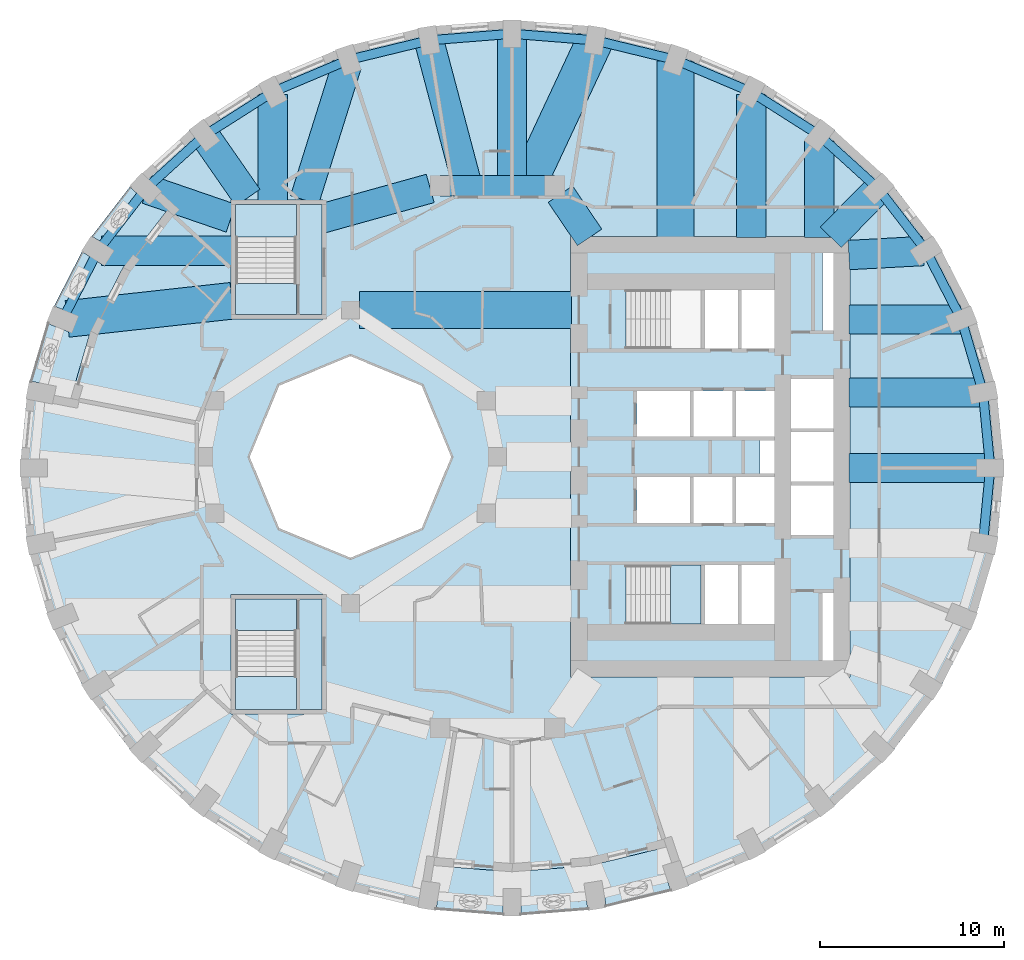
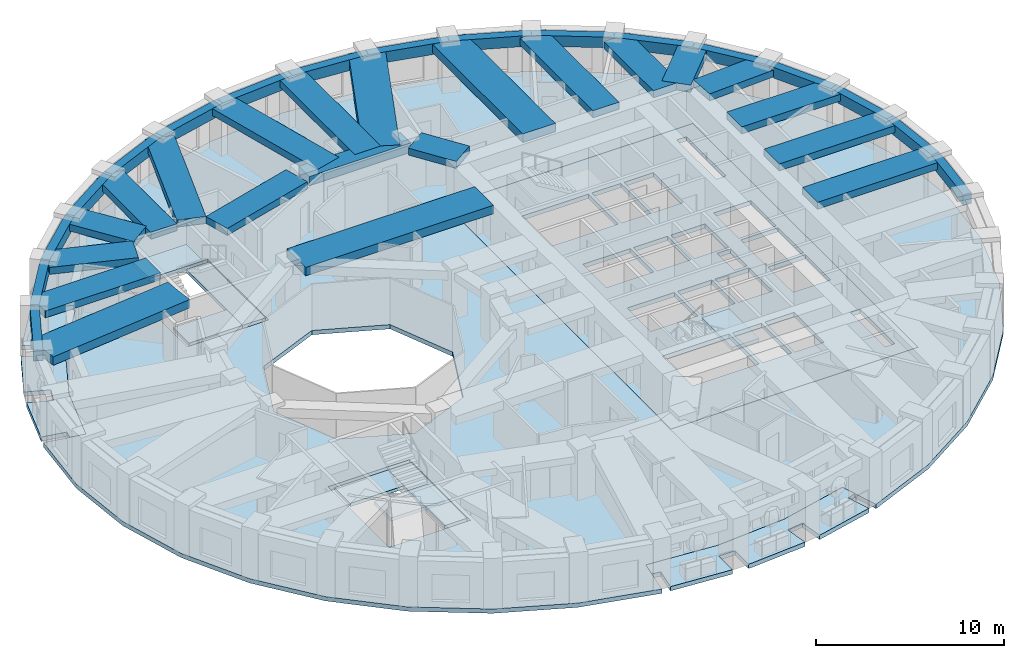
# One storey, part 2 of 13: 38 beams, 11 slabs, 3 elements without a shape of their own.
"""IFC4 building model written with IfcOpenShell, lengths in metres."""

from ifc_helpers import new_model, si_unit, direction, frame, origin, origin_2d, place, context, subcontext, project, spatial, polyline, rectangle, outline, extrude, material, layer, layer_set, material_profile, profile_set, type_object, element, aggregate, save


model = new_model("IFC4")

# Units and contexts
model_context = context("Model", 3, precision=1e-05, world=origin(), true_north=direction((0.0, 1.0)))
body_context = subcontext(model_context, "Body", "Model", "MODEL_VIEW")
ifc_project = project(units=[si_unit("LENGTHUNIT", "METRE"), si_unit("AREAUNIT", "SQUARE_METRE"), si_unit("VOLUMEUNIT", "CUBIC_METRE"), si_unit("PLANEANGLEUNIT", "RADIAN"), si_unit("MASSUNIT", "GRAM", prefix="KILO")], contexts=[model_context])

# Site, building, storey
site_placement = place(None, origin())
site = spatial("IfcSite", under=ifc_project, at=site_placement, CompositionType="ELEMENT")
building_placement = place(site_placement, origin())
building = spatial("IfcBuilding", under=site, at=building_placement, Name="Taillehof Tower", CompositionType="ELEMENT")
storey_placement = place(building_placement, frame((0.0, 0.0, 108.699951171875)))
storey = spatial("IfcBuildingStorey", under=building, at=storey_placement, Name="L30", CompositionType="ELEMENT", Elevation=108.699951171875)

# Beams
ifc_material_1 = material(Name="Concrete C50/60", Category="concrete")
ifc_material_profile_1 = material_profile(ifc_material_1, rectangle(XDim=1.10009765625, YDim=0.60009765625, at=origin_2d()), Name="RC 1100x600")
ifc_profile_set_1 = profile_set([ifc_material_profile_1], Name="Concrete C50/60")
beam_type_1 = type_object("IfcBeamType", Name="Mid-ring beam C50/60 1100x600", PredefinedType="BEAM", material=ifc_profile_set_1)
beam_1_placement = place(storey_placement, frame((3.125732421875, 14.772216796875, 2.719970703125), z_axis=(-1.0, 0.0, 0.0), x_axis=(0.0, -1.0, 0.0)))
element("IfcBeam", 1, at=beam_1_placement, inside=storey, type_object=beam_type_1, Name="Mid-ring beam MB01", PredefinedType="BEAM", context=body_context, shape_type="SweptSolid", body=[
    extrude(rectangle(XDim=1.10009765625, YDim=0.60009765625, at=origin_2d()), origin(), (0.0, 0.0, 1.0), 6.25146484375),
])
ifc_material_2 = material(Name="Concrete C50/60", Category="concrete")
ifc_material_profile_2 = material_profile(ifc_material_2, rectangle(XDim=1.60009765625, YDim=0.449951171875, at=origin_2d()), Name="RC 1600x450")
ifc_profile_set_2 = profile_set([ifc_material_profile_2], Name="Concrete C50/60")
beam_type_2 = type_object("IfcBeamType", Name="Radial band beam C50/60 1600x450", PredefinedType="BEAM", material=ifc_profile_set_2)
beam_2_placement = place(storey_placement, frame((26.85009765625, -0.60009765625, 2.795166015625), z_axis=(-1.0, 0.0, 0.0), x_axis=(0.0, -1.0, 0.0)))
element("IfcBeam", 2, at=beam_2_placement, inside=storey, type_object=beam_type_2, Name="Radial band beam RB01", PredefinedType="BEAM", context=body_context, shape_type="SweptSolid", body=[
    extrude(rectangle(XDim=1.60009765625, YDim=0.449951171875, at=origin_2d()), origin(), (0.0, 0.0, 1.0), 7.7001953125),
])
beam_3_placement = place(storey_placement, frame((26.454345703125, 3.5068359375, 2.795166015625), z_axis=(-1.0, 0.0, 0.0), x_axis=(0.0, -1.0, 0.0)))
element("IfcBeam", 3, at=beam_3_placement, inside=storey, type_object=beam_type_2, Name="Radial band beam RB02", PredefinedType="BEAM", context=body_context, shape_type="SweptSolid", body=[
    extrude(rectangle(XDim=1.60009765625, YDim=0.449951171875, at=origin_2d()), origin(), (0.0, 0.0, 1.0), 7.304443359375),
])
beam_4_placement = place(storey_placement, frame((25.2275390625, 7.48876953125, 2.795166015625), z_axis=(-1.0, 0.0, 0.0), x_axis=(0.0, -1.0, 0.0)))
element("IfcBeam", 4, at=beam_4_placement, inside=storey, type_object=beam_type_2, Name="Radial band beam RB03", PredefinedType="BEAM", context=body_context, shape_type="SweptSolid", body=[
    extrude(rectangle(XDim=1.60009765625, YDim=0.449951171875, at=origin_2d()), origin(), (0.0, 0.0, 1.0), 6.07763671875),
])
beam_5_placement = place(storey_placement, frame((23.197021484375, 11.21630859375, 2.795166015625), z_axis=(-0.998539024739, -0.054035322466, 0.0), x_axis=(0.054035322466, -0.998539024739, 0.0)))
element("IfcBeam", 5, at=beam_5_placement, inside=storey, type_object=beam_type_2, Name="Radial band beam RB04", PredefinedType="BEAM", context=body_context, shape_type="SweptSolid", body=[
    extrude(rectangle(XDim=1.60009765625, YDim=0.449951171875, at=origin_2d()), origin(), (0.0, 0.0, 1.0), 4.052734375),
])
beam_6_placement = place(storey_placement, frame((20.75537109375, 14.60205078125, 2.795166015625), z_axis=(-0.700671998657, -0.713483531903, 0.0), x_axis=(0.713483531903, -0.700671998657, 0.0)))
element("IfcBeam", 6, at=beam_6_placement, inside=storey, type_object=beam_type_2, Name="Radial band beam RB05", PredefinedType="BEAM", context=body_context, shape_type="SweptSolid", body=[
    extrude(rectangle(XDim=1.60009765625, YDim=0.449951171875, at=origin_2d()), origin(), (0.0, 0.0, 1.0), 3.697021484375),
])
beam_7_placement = place(storey_placement, frame((17.544677734375, 17.2216796875, 2.795166015625), z_axis=(0.0, -1.0, 0.0), x_axis=(1.0, 0.0, 0.0)))
element("IfcBeam", 7, at=beam_7_placement, inside=storey, type_object=beam_type_2, Name="Radial band beam RB06", PredefinedType="BEAM", context=body_context, shape_type="SweptSolid", body=[
    extrude(rectangle(XDim=1.60009765625, YDim=0.449951171875, at=origin_2d()), origin(), (0.0, 0.0, 1.0), 5.271728515625),
])
beam_8_placement = place(storey_placement, frame((13.824951171875, 19.744384765625, 2.795166015625), z_axis=(0.0, -1.0, 0.0), x_axis=(1.0, 0.0, 0.0)))
element("IfcBeam", 8, at=beam_8_placement, inside=storey, type_object=beam_type_2, Name="Radial band beam RB07", PredefinedType="BEAM", context=body_context, shape_type="SweptSolid", body=[
    extrude(rectangle(XDim=1.60009765625, YDim=0.449951171875, at=origin_2d()), origin(), (0.0, 0.0, 1.0), 7.79443359375),
])
beam_9_placement = place(storey_placement, frame((0.800048828125, 23.050048828125, 2.795166015625), z_axis=(0.0, -1.0, 0.0), x_axis=(1.0, 0.0, 0.0)))
element("IfcBeam", 9, at=beam_9_placement, inside=storey, type_object=beam_type_2, Name="Radial band beam RB10", PredefinedType="BEAM", context=body_context, shape_type="SweptSolid", body=[
    extrude(rectangle(XDim=1.60009765625, YDim=0.449951171875, at=origin_2d()), origin(), (0.0, 0.0, 1.0), 8.27783203125),
])
beam_10_placement = place(storey_placement, frame((-3.7236328125, 22.690673828125, 2.795166015625), z_axis=(0.256102263642, -0.966649693817, 0.0), x_axis=(0.966649693817, 0.256102263642, 0.0)))
element("IfcBeam", 10, at=beam_10_placement, inside=storey, type_object=beam_type_2, Name="Radial band beam RB11", PredefinedType="BEAM", context=body_context, shape_type="SweptSolid", body=[
    extrude(rectangle(XDim=1.60009765625, YDim=0.449951171875, at=origin_2d()), origin(), (0.0, 0.0, 1.0), 8.191650390625),
])
beam_11_placement = place(storey_placement, frame((-8.189453125, 21.369140625, 2.795166015625), z_axis=(-0.299184997435, -0.954195125386, 0.0), x_axis=(0.954195125386, -0.299184997435, 0.0)))
element("IfcBeam", 11, at=beam_11_placement, inside=storey, type_object=beam_type_2, Name="Radial band beam RB12", PredefinedType="BEAM", context=body_context, shape_type="SweptSolid", body=[
    extrude(rectangle(XDim=1.60009765625, YDim=0.449951171875, at=origin_2d()), origin(), (0.0, 0.0, 1.0), 7.728515625),
])
beam_12_placement = place(storey_placement, frame((-12.22509765625, 19.744384765625, 2.795166015625), z_axis=(0.0, -1.0, 0.0), x_axis=(1.0, 0.0, 0.0)))
element("IfcBeam", 12, at=beam_12_placement, inside=storey, type_object=beam_type_2, Name="Radial band beam RB13", PredefinedType="BEAM", context=body_context, shape_type="SweptSolid", body=[
    extrude(rectangle(XDim=1.60009765625, YDim=0.449951171875, at=origin_2d()), origin(), (0.0, 0.0, 1.0), 5.79443359375),
])
beam_13_placement = place(storey_placement, frame((-15.944580078125, 17.516845703125, 2.795166015625), z_axis=(0.570763290366, -0.821114648737, 0.0), x_axis=(0.821114648737, 0.570763290366, 0.0)))
element("IfcBeam", 13, at=beam_13_placement, inside=storey, type_object=beam_type_2, Name="Radial band beam RB14", PredefinedType="BEAM", context=body_context, shape_type="SweptSolid", body=[
    extrude(rectangle(XDim=1.60009765625, YDim=0.449951171875, at=origin_2d()), origin(), (0.0, 0.0, 1.0), 4.1328125),
])
beam_14_placement = place(storey_placement, frame((-19.080810546875, 14.576171875, 2.795166015625), z_axis=(0.945583195076, -0.325380425334, 0.0), x_axis=(0.325380425334, 0.945583195076, 0.0)))
element("IfcBeam", 14, at=beam_14_placement, inside=storey, type_object=beam_type_2, Name="Radial band beam RB15", PredefinedType="BEAM", context=body_context, shape_type="SweptSolid", body=[
    extrude(rectangle(XDim=1.60009765625, YDim=0.449951171875, at=origin_2d()), origin(), (0.0, 0.0, 1.0), 4.83349609375),
])
beam_15_placement = place(storey_placement, frame((-21.54736328125, 11.22509765625, 2.795166015625), z_axis=(1.0, 0.0, 0.0), x_axis=(0.0, 1.0, 0.0)))
element("IfcBeam", 15, at=beam_15_placement, inside=storey, type_object=beam_type_2, Name="Radial band beam RB16", PredefinedType="BEAM", context=body_context, shape_type="SweptSolid", body=[
    extrude(rectangle(XDim=1.60009765625, YDim=0.449951171875, at=origin_2d()), origin(), (0.0, 0.0, 1.0), 7.097412109375),
])
beam_16_placement = place(storey_placement, frame((3.433837890625, 14.31640625, 2.795166015625), z_axis=(0.560112043398, -0.828416862962, 0.0), x_axis=(0.828416862962, 0.560112043398, 0.0)))
element("IfcBeam", 16, at=beam_16_placement, inside=storey, type_object=beam_type_2, Name="Inner band beam IB205", PredefinedType="BEAM", context=body_context, shape_type="SweptSolid", body=[
    extrude(rectangle(XDim=1.60009765625, YDim=0.449951171875, at=origin_2d()), origin(), (0.0, 0.0, 1.0), 2.84619140625),
])
beam_17_placement = place(storey_placement, frame((-3.655517578125, 14.624755859375, 2.795166015625), z_axis=(-0.963459369536, -0.267854518821, 0.0), x_axis=(0.267854518821, -0.963459369536, 0.0)))
element("IfcBeam", 17, at=beam_17_placement, inside=storey, type_object=beam_type_2, Name="Inner band beam IB206", PredefinedType="BEAM", context=body_context, shape_type="SweptSolid", body=[
    extrude(rectangle(XDim=1.60009765625, YDim=0.449951171875, at=origin_2d()), origin(), (0.0, 0.0, 1.0), 6.096923828125),
])
ifc_material_3 = material(Name="Concrete C50/60", Category="concrete")
ifc_material_profile_3 = material_profile(ifc_material_3, rectangle(XDim=2.0, YDim=0.550048828125, at=origin_2d()), Name="RC 2000x550")
ifc_profile_set_3 = profile_set([ifc_material_profile_3], Name="Concrete C50/60")
beam_type_3 = type_object("IfcBeamType", Name="Radial band beam C50/60 2000x550", PredefinedType="BEAM", material=ifc_profile_set_3)
beam_18_placement = place(storey_placement, frame((9.709716796875, 21.556640625, 2.7451171875), z_axis=(0.0, -1.0, 0.0), x_axis=(1.0, 0.0, 0.0)))
element("IfcBeam", 18, at=beam_18_placement, inside=storey, type_object=beam_type_3, Name="Radial band beam RB08", PredefinedType="BEAM", context=body_context, shape_type="SweptSolid", body=[
    extrude(rectangle(XDim=2.0, YDim=0.550048828125, at=origin_2d()), origin(), (0.0, 0.0, 1.0), 9.606689453125),
])
beam_19_placement = place(storey_placement, frame((5.312744140625, 22.66748046875, 2.7451171875), z_axis=(-0.423126261145, -0.90607072965, 0.0), x_axis=(0.90607072965, -0.423126261145, 0.0)))
element("IfcBeam", 19, at=beam_19_placement, inside=storey, type_object=beam_type_3, Name="Radial band beam RB09", PredefinedType="BEAM", context=body_context, shape_type="SweptSolid", body=[
    extrude(rectangle(XDim=2.0, YDim=0.550048828125, at=origin_2d()), origin(), (0.0, 0.0, 1.0), 8.713623046875),
])
beam_20_placement = place(storey_placement, frame((-23.42919921875, 7.516357421875, 2.7451171875), z_axis=(0.993988424713, 0.109485211499, 0.0), x_axis=(-0.109485211499, 0.993988424713, 0.0)))
element("IfcBeam", 20, at=beam_20_placement, inside=storey, type_object=beam_type_3, Name="Radial band beam RB17", PredefinedType="BEAM", context=body_context, shape_type="SweptSolid", body=[
    extrude(rectangle(XDim=2.0, YDim=0.550048828125, at=origin_2d()), origin(), (0.0, 0.0, 1.0), 9.033203125),
])
beam_21_placement = place(storey_placement, frame((-7.5, 8.0, 2.7451171875), z_axis=(1.0, 0.0, 0.0), x_axis=(0.0, 1.0, 0.0)))
element("IfcBeam", 21, at=beam_21_placement, inside=storey, type_object=beam_type_3, Name="Inner band beam IB105", PredefinedType="BEAM", context=body_context, shape_type="SweptSolid", body=[
    extrude(rectangle(XDim=2.0, YDim=0.550048828125, at=origin_2d()), origin(), (0.0, 0.0, 1.0), 11.550048828125),
])
ifc_material_4 = material(Name="Concrete C50/60", Category="concrete")
ifc_material_profile_4 = material_profile(ifc_material_4, rectangle(XDim=0.5, YDim=0.699951171875, at=origin_2d()), Name="RC 500x700")
ifc_profile_set_4 = profile_set([ifc_material_profile_4], Name="Concrete C50/60")
beam_type_4 = type_object("IfcBeamType", Name="Spandrel beam C50/60 500x700", PredefinedType="SPANDREL", material=ifc_profile_set_4)
beam_22_placement = place(storey_placement, frame((26.85009765625, -0.60009765625, 2.670166015625), z_axis=(-0.095917608943, 0.995389276763, 0.0), x_axis=(-0.995389276763, -0.095917608943, 0.0)))
element("IfcBeam", 22, at=beam_22_placement, inside=storey, type_object=beam_type_4, Name="Spandrel beam SB01", PredefinedType="SPANDREL", context=body_context, shape_type="SweptSolid", body=[
    extrude(rectangle(XDim=0.5, YDim=0.699951171875, at=origin_2d()), origin(), (0.0, 0.0, 1.0), 4.1259765625),
])
beam_23_placement = place(storey_placement, frame((26.454345703125, 3.5068359375, 2.670166015625), z_axis=(-0.28308309012, 0.95909538842, 0.0), x_axis=(-0.95909538842, -0.28308309012, 0.0)))
element("IfcBeam", 23, at=beam_23_placement, inside=storey, type_object=beam_type_4, Name="Spandrel beam SB02", PredefinedType="SPANDREL", context=body_context, shape_type="SweptSolid", body=[
    extrude(rectangle(XDim=0.5, YDim=0.699951171875, at=origin_2d()), origin(), (0.0, 0.0, 1.0), 4.15185546875),
])
beam_24_placement = place(storey_placement, frame((25.279052734375, 7.48876953125, 2.670166015625), z_axis=(-0.456905372708, 0.88951530644, 0.0), x_axis=(-0.88951530644, -0.456905372708, 0.0)))
element("IfcBeam", 24, at=beam_24_placement, inside=storey, type_object=beam_type_4, Name="Spandrel beam SB03", PredefinedType="SPANDREL", context=body_context, shape_type="SweptSolid", body=[
    extrude(rectangle(XDim=0.5, YDim=0.699951171875, at=origin_2d()), origin(), (0.0, 0.0, 1.0), 4.200439453125),
])
beam_25_placement = place(storey_placement, frame((23.35986328125, 11.22509765625, 2.670166015625), z_axis=(-0.61071731561, 0.79184869793, 0.0), x_axis=(-0.79184869793, -0.61071731561, 0.0)))
element("IfcBeam", 25, at=beam_25_placement, inside=storey, type_object=beam_type_4, Name="Spandrel beam SB04", PredefinedType="SPANDREL", context=body_context, shape_type="SweptSolid", body=[
    extrude(rectangle(XDim=0.5, YDim=0.699951171875, at=origin_2d()), origin(), (0.0, 0.0, 1.0), 4.2646484375),
])
beam_26_placement = place(storey_placement, frame((20.75537109375, 14.60205078125, 2.670166015625), z_axis=(-0.740400998917, 0.672165426665, 0.0), x_axis=(-0.672165426665, -0.740400998917, 0.0)))
element("IfcBeam", 26, at=beam_26_placement, inside=storey, type_object=beam_type_4, Name="Spandrel beam SB05", PredefinedType="SPANDREL", context=body_context, shape_type="SweptSolid", body=[
    extrude(rectangle(XDim=0.5, YDim=0.699951171875, at=origin_2d()), origin(), (0.0, 0.0, 1.0), 4.33642578125),
])
beam_27_placement = place(storey_placement, frame((17.544677734375, 17.516845703125, 2.670166015625), z_axis=(-0.843903157847, 0.536495536027, 0.0), x_axis=(-0.536495536027, -0.843903157847, 0.0)))
element("IfcBeam", 27, at=beam_27_placement, inside=storey, type_object=beam_type_4, Name="Spandrel beam SB06", PredefinedType="SPANDREL", context=body_context, shape_type="SweptSolid", body=[
    extrude(rectangle(XDim=0.5, YDim=0.699951171875, at=origin_2d()), origin(), (0.0, 0.0, 1.0), 4.40771484375),
])
beam_28_placement = place(storey_placement, frame((13.824951171875, 19.881591796875, 2.670166015625), z_axis=(-0.920876744153, 0.389853847074, 0.0), x_axis=(-0.389853847074, -0.920876744153, 0.0)))
element("IfcBeam", 28, at=beam_28_placement, inside=storey, type_object=beam_type_4, Name="Spandrel beam SB07", PredefinedType="SPANDREL", context=body_context, shape_type="SweptSolid", body=[
    extrude(rectangle(XDim=0.5, YDim=0.699951171875, at=origin_2d()), origin(), (0.0, 0.0, 1.0), 4.46875),
])
beam_29_placement = place(storey_placement, frame((9.709716796875, 21.623779296875, 2.670166015625), z_axis=(-0.971668945916, 0.23634605887, 0.0), x_axis=(-0.23634605887, -0.971668945916, 0.0)))
element("IfcBeam", 29, at=beam_29_placement, inside=storey, type_object=beam_type_4, Name="Spandrel beam SB08", PredefinedType="SPANDREL", context=body_context, shape_type="SweptSolid", body=[
    extrude(rectangle(XDim=0.5, YDim=0.699951171875, at=origin_2d()), origin(), (0.0, 0.0, 1.0), 4.51416015625),
])
beam_30_placement = place(storey_placement, frame((5.323486328125, 22.690673828125, 2.670166015625), z_axis=(-0.996858923208, 0.079197772828, 0.0), x_axis=(-0.079197772828, -0.996858923208, 0.0)))
element("IfcBeam", 30, at=beam_30_placement, inside=storey, type_object=beam_type_4, Name="Spandrel beam SB09", PredefinedType="SPANDREL", context=body_context, shape_type="SweptSolid", body=[
    extrude(rectangle(XDim=0.5, YDim=0.699951171875, at=origin_2d()), origin(), (0.0, 0.0, 1.0), 4.53759765625),
])
beam_31_placement = place(storey_placement, frame((0.800048828125, 23.050048828125, 2.670166015625), z_axis=(-0.996859260648, -0.079193525375, 0.0), x_axis=(0.079193525375, -0.996859260648, 0.0)))
element("IfcBeam", 31, at=beam_31_placement, inside=storey, type_object=beam_type_4, Name="Spandrel beam SB10", PredefinedType="SPANDREL", context=body_context, shape_type="SweptSolid", body=[
    extrude(rectangle(XDim=0.5, YDim=0.699951171875, at=origin_2d()), origin(), (0.0, 0.0, 1.0), 4.537841796875),
])
beam_32_placement = place(storey_placement, frame((-3.7236328125, 22.690673828125, 2.670166015625), z_axis=(-0.971665924588, -0.236358479847, 0.0), x_axis=(0.236358479847, -0.971665924588, 0.0)))
element("IfcBeam", 32, at=beam_32_placement, inside=storey, type_object=beam_type_4, Name="Spandrel beam SB11", PredefinedType="SPANDREL", context=body_context, shape_type="SweptSolid", body=[
    extrude(rectangle(XDim=0.5, YDim=0.699951171875, at=origin_2d()), origin(), (0.0, 0.0, 1.0), 4.513916015625),
])
beam_33_placement = place(storey_placement, frame((-8.109619140625, 21.623779296875, 2.670166015625), z_axis=(-0.920885046825, -0.389834234688, 0.0), x_axis=(0.389834234688, -0.920885046825, 0.0)))
element("IfcBeam", 33, at=beam_33_placement, inside=storey, type_object=beam_type_4, Name="Spandrel beam SB12", PredefinedType="SPANDREL", context=body_context, shape_type="SweptSolid", body=[
    extrude(rectangle(XDim=0.5, YDim=0.699951171875, at=origin_2d()), origin(), (0.0, 0.0, 1.0), 4.468994140625),
])
beam_34_placement = place(storey_placement, frame((-12.22509765625, 19.881591796875, 2.670166015625), z_axis=(-0.843887214322, -0.536520614239, 0.0), x_axis=(0.536520614239, -0.843887214322, 0.0)))
element("IfcBeam", 34, at=beam_34_placement, inside=storey, type_object=beam_type_4, Name="Spandrel beam SB13", PredefinedType="SPANDREL", context=body_context, shape_type="SweptSolid", body=[
    extrude(rectangle(XDim=0.5, YDim=0.699951171875, at=origin_2d()), origin(), (0.0, 0.0, 1.0), 4.407470703125),
])
beam_35_placement = place(storey_placement, frame((-15.944580078125, 17.516845703125, 2.670166015625), z_axis=(-0.740426434014, -0.672137408432, 0.0), x_axis=(0.672137408432, -0.740426434014, 0.0)))
element("IfcBeam", 35, at=beam_35_placement, inside=storey, type_object=beam_type_4, Name="Spandrel beam SB14", PredefinedType="SPANDREL", context=body_context, shape_type="SweptSolid", body=[
    extrude(rectangle(XDim=0.5, YDim=0.699951171875, at=origin_2d()), origin(), (0.0, 0.0, 1.0), 4.336669921875),
])
beam_36_placement = place(storey_placement, frame((-19.155517578125, 14.60205078125, 2.670166015625), z_axis=(-0.61071731561, -0.79184869793, 0.0), x_axis=(0.79184869793, -0.61071731561, 0.0)))
element("IfcBeam", 36, at=beam_36_placement, inside=storey, type_object=beam_type_4, Name="Spandrel beam SB15", PredefinedType="SPANDREL", context=body_context, shape_type="SweptSolid", body=[
    extrude(rectangle(XDim=0.5, YDim=0.699951171875, at=origin_2d()), origin(), (0.0, 0.0, 1.0), 4.2646484375),
])
beam_37_placement = place(storey_placement, frame((-21.760009765625, 11.22509765625, 2.670166015625), z_axis=(-0.456859381733, -0.889538928503, 0.0), x_axis=(0.889538928503, -0.456859381733, 0.0)))
element("IfcBeam", 37, at=beam_37_placement, inside=storey, type_object=beam_type_4, Name="Spandrel beam SB16", PredefinedType="SPANDREL", context=body_context, shape_type="SweptSolid", body=[
    extrude(rectangle(XDim=0.5, YDim=0.699951171875, at=origin_2d()), origin(), (0.0, 0.0, 1.0), 4.2001953125),
])
beam_38_placement = place(storey_placement, frame((26.454345703125, -4.706787109375, 2.670166015625), z_axis=(0.09592325873, 0.995388732323, 0.0), x_axis=(-0.995388732323, 0.09592325873, 0.0)))
element("IfcBeam", 38, at=beam_38_placement, inside=storey, type_object=beam_type_4, Name="Spandrel beam SB36", PredefinedType="SPANDREL", context=body_context, shape_type="SweptSolid", body=[
    extrude(rectangle(XDim=0.5, YDim=0.699951171875, at=origin_2d()), origin(), (0.0, 0.0, 1.0), 4.125732421875),
])

# Slabs
ifc_material_5 = material(Name="Concrete C40/50", Category="concrete")
ifc_layer_1 = layer(ifc_material_5, 0.280029296875)
ifc_layer_set_1 = layer_set([ifc_layer_1], Name="Balcony slab 280")
slab_type_1 = type_object("IfcSlabType", Name="Balcony slab 280", PredefinedType="USERDEFINED", material=ifc_layer_set_1)
slab_1_placement = place(storey_placement, frame((0.0, 0.0, -0.280029296875)))
element("IfcSlab", 39, at=slab_1_placement, inside=storey, type_object=slab_type_1, Name="Balcony L30 pocket 4", ObjectType="BALCONY", PredefinedType="USERDEFINED", context=body_context, shape_type="SweptSolid", body=[
    extrude(outline(polyline([(-23.236572265625, 3.1806640625), (-24.120361328125, 3.351806640625), (-24.02294921875, 3.85498046875), (-25.447509765625, 4.130859375), (-24.518798828125, 7.2861328125), (-23.168212890625, 6.74609375), (-22.796875, 7.674560546875), (-24.14404296875, 8.213134765625), (-22.6240234375, 11.180908203125), (-21.394287109375, 10.401123046875), (-20.85888671875, 11.24560546875), (-22.084228515625, 12.022705078125), (-20.0146484375, 14.7138671875), (-18.94287109375, 13.72607421875), (-18.627685546875, 14.068115234375), (-17.965087890625, 13.45751953125), (-20.382568359375, 10.314697265625), (-22.1552734375, 6.8544921875), (-23.236572265625, 3.1806640625)])), origin(), (0.0, 0.0, 1.0), 0.280029296875),
])
slab_2_placement = place(storey_placement, frame((0.0, 0.0, -0.280029296875)))
element("IfcSlab", 40, at=slab_2_placement, inside=storey, type_object=slab_type_1, Name="Balcony L30 pocket 8", ObjectType="BALCONY", PredefinedType="USERDEFINED", context=body_context, shape_type="SweptSolid", body=[
    extrude(outline(polyline([(9.211181640625, -21.250244140625), (9.494384765625, -22.10498046875), (8.9990234375, -22.26904296875), (9.45751953125, -23.652587890625), (5.929931640625, -24.51318359375), (5.6982421875, -23.071044921875), (4.7109375, -23.2294921875), (4.942138671875, -24.670166015625), (1.300048828125, -24.960205078125), (1.300048828125, -23.5), (0.300048828125, -23.5), (0.300048828125, -24.960205078125), (-3.34228515625, -24.670166015625), (-3.111083984375, -23.2294921875), (-3.615966796875, -23.1484375), (-3.473388671875, -22.259765625), (0.800048828125, -22.60009765625), (5.0732421875, -22.259765625), (9.211181640625, -21.250244140625)])), origin(), (0.0, 0.0, 1.0), 0.280029296875),
])
ifc_material_6 = material(Name="Concrete C40/50", Category="concrete")
ifc_layer_2 = layer(ifc_material_6, 0.280029296875)
ifc_layer_set_2 = layer_set([ifc_layer_2], Name="Core floor slab C40/50 280")
slab_type_2 = type_object("IfcSlabType", Name="Core floor slab C40/50 280", PredefinedType="FLOOR", material=ifc_layer_set_2)
slab_3_placement = place(storey_placement, frame((0.0, 0.0, -0.280029296875)))
element("IfcSlab", 41, at=slab_3_placement, inside=storey, type_object=slab_type_2, Name="Core floor L30", PredefinedType="FLOOR", context=body_context, shape_type="SweptSolid", body=[
    extrude(outline(polyline([(4.0, -12.0), (4.0, 12.0), (19.199951171875, 12.0), (19.199951171875, -12.0), (4.0, -12.0)]), holes=[polyline([(7.00048828125, -9.10009765625), (11.10009765625, -9.10009765625), (11.10009765625, -5.89990234375), (7.00048828125, -5.89990234375), (7.00048828125, -9.10009765625)]), polyline([(13.10009765625, -9.10009765625), (13.10009765625, -5.89990234375), (11.300048828125, -5.89990234375), (11.300048828125, -9.10009765625), (13.10009765625, -9.10009765625)]), polyline([(10.5, -3.60009765625), (10.5, -1.10009765625), (7.60009765625, -1.10009765625), (7.60009765625, -3.60009765625), (10.5, -3.60009765625)]), polyline([(12.800048828125, -3.60009765625), (12.800048828125, -1.10009765625), (10.699951171875, -1.10009765625), (10.699951171875, -3.60009765625), (12.800048828125, -3.60009765625)]), polyline([(10.5, 1.10009765625), (10.5, 3.60009765625), (7.60009765625, 3.60009765625), (7.60009765625, 1.10009765625), (10.5, 1.10009765625)]), polyline([(12.800048828125, 1.10009765625), (12.800048828125, 3.60009765625), (10.699951171875, 3.60009765625), (10.699951171875, 1.10009765625), (12.800048828125, 1.10009765625)]), polyline([(15.10009765625, 1.10009765625), (15.10009765625, 3.60009765625), (13.0, 3.60009765625), (13.0, 1.10009765625), (15.10009765625, 1.10009765625)]), polyline([(11.300048828125, 5.89990234375), (13.10009765625, 5.89990234375), (13.10009765625, 9.10009765625), (11.300048828125, 9.10009765625), (11.300048828125, 5.89990234375)]), polyline([(7.00048828125, 5.89990234375), (11.10009765625, 5.89990234375), (11.10009765625, 9.10009765625), (7.00048828125, 9.10009765625), (7.00048828125, 5.89990234375)]), polyline([(18.300048828125, -11.10009765625), (18.300048828125, -7.39990234375), (17.699951171875, -7.39990234375), (17.699951171875, -11.10009765625), (18.300048828125, -11.10009765625)]), polyline([(15.10009765625, -9.10009765625), (15.10009765625, -5.89990234375), (13.300048828125, -5.89990234375), (13.300048828125, -9.10009765625), (15.10009765625, -9.10009765625)]), polyline([(18.300048828125, -4.25), (18.300048828125, -1.550048828125), (16.0, -1.550048828125), (16.0, -4.25), (18.300048828125, -4.25)]), polyline([(15.10009765625, -3.60009765625), (15.10009765625, -1.10009765625), (13.0, -1.10009765625), (13.0, -3.60009765625), (15.10009765625, -3.60009765625)]), polyline([(15.10009765625, -0.89990234375), (15.10009765625, 0.89990234375), (14.300048828125, 0.89990234375), (14.300048828125, -0.89990234375), (15.10009765625, -0.89990234375)]), polyline([(18.300048828125, -1.35009765625), (18.300048828125, 1.35009765625), (16.0, 1.35009765625), (16.0, -1.35009765625), (18.300048828125, -1.35009765625)]), polyline([(18.300048828125, 1.550048828125), (18.300048828125, 4.25), (16.0, 4.25), (16.0, 1.550048828125), (18.300048828125, 1.550048828125)]), polyline([(13.300048828125, 5.89990234375), (15.10009765625, 5.89990234375), (15.10009765625, 9.10009765625), (13.300048828125, 9.10009765625), (13.300048828125, 5.89990234375)]), polyline([(17.699951171875, 6.89990234375), (18.300048828125, 6.89990234375), (18.300048828125, 11.10009765625), (17.699951171875, 11.10009765625), (17.699951171875, 6.89990234375)])]), origin(), (0.0, 0.0, 1.0), 0.280029296875),
])
ifc_material_7 = material(Name="Concrete C40/50", Category="concrete")
ifc_layer_3 = layer(ifc_material_7, 0.280029296875)
ifc_layer_set_3 = layer_set([ifc_layer_3], Name="Floor slab 280")
slab_type_3 = type_object("IfcSlabType", Name="Floor slab 280", PredefinedType="FLOOR", material=ifc_layer_set_3)
slab_4_placement = place(storey_placement, frame((0.0, 0.0, -0.280029296875)))
element("IfcSlab", 42, at=slab_4_placement, inside=storey, type_object=slab_type_3, Name="Floor slab L30", PredefinedType="FLOOR", context=body_context, shape_type="SweptSolid", body=[
    extrude(outline(polyline([(27.60009765625, -0.60009765625), (27.19287109375, 3.636962890625), (25.98388671875, 7.745361328125), (24.009521484375, 11.60009765625), (21.330078125, 15.083984375), (18.026611328125, 18.091552734375), (14.199951171875, 20.531005859375), (9.966064453125, 22.32861328125), (5.453857421875, 23.42919921875), (0.800048828125, 23.800048828125), (-3.853759765625, 23.42919921875), (-8.3662109375, 22.32861328125), (-12.60009765625, 20.531005859375), (-16.4267578125, 18.091552734375), (-19.72998046875, 15.083984375), (-17.965087890625, 13.45751953125), (-20.3828125, 10.314697265625), (-22.1552734375, 6.8544921875), (-23.236572265625, 3.1806640625), (-25.5927734375, 3.636962890625), (-26.0, -0.60009765625), (-25.5927734375, -4.8369140625), (-24.3837890625, -8.9453125), (-22.409423828125, -12.800048828125), (-19.72998046875, -16.283935546875), (-16.4267578125, -19.29150390625), (-12.60009765625, -21.73095703125), (-8.3662109375, -23.528564453125), (-3.853759765625, -24.62939453125), (-3.473388671875, -22.259765625), (0.800048828125, -22.60009765625), (5.073486328125, -22.259765625), (9.211181640625, -21.250244140625), (9.966064453125, -23.528564453125), (14.199951171875, -21.73095703125), (18.026611328125, -19.29150390625), (21.330078125, -16.283935546875), (24.009521484375, -12.800048828125), (25.98388671875, -8.9453125), (27.19287109375, -4.8369140625), (27.60009765625, -0.60009765625)]), holes=[polyline([(-14.5, -7.5), (-9.5, -7.5), (-9.5, -14.0), (-14.5, -14.0), (-14.5, -7.5)]), polyline([(-8.0, -5.5), (-11.88916015625, -3.88916015625), (-13.5, 0.0), (-11.88916015625, 3.88916015625), (-8.0, 5.5), (-4.11083984375, 3.88916015625), (-2.5, 0.0), (-4.11083984375, -3.88916015625), (-8.0, -5.5)]), polyline([(19.199951171875, 12.0), (19.199951171875, -12.0), (4.0, -12.0), (4.0, 12.0), (19.199951171875, 12.0)]), polyline([(-14.5, 14.0), (-9.5, 14.0), (-9.5, 7.5), (-14.5, 7.5), (-14.5, 14.0)])]), origin(), (0.0, 0.0, 1.0), 0.280029296875),
])

# Stair, slab
ifc_material_8 = material(Name="Concrete C40/50", Category="concrete")
stair_type = type_object("IfcStairType", Name="Exit stair half-turn", PredefinedType="HALF_TURN_STAIR", material=ifc_material_8)
stair_1_placement = place(storey_placement, origin())
stair_1 = element("IfcStair", 43, at=stair_1_placement, inside=storey, type_object=stair_type, Name="Exit stair S2", PredefinedType="HALF_TURN_STAIR")
ifc_material_9 = material(Name="Concrete C40/50", Category="concrete")
ifc_layer_4 = layer(ifc_material_9, 0.2099609375)
ifc_layer_set_4 = layer_set([ifc_layer_4], Name="Stair landing C40/50 210")
slab_type_4 = type_object("IfcSlabType", Name="Stair landing C40/50 210", PredefinedType="LANDING", material=ifc_layer_set_4)
slab_5_placement = place(storey_placement, frame((0.0, 0.0, 1.43994140625)))
slab_5 = element("IfcSlab", 44, at=slab_5_placement, type_object=slab_type_4, Name="S2 landing 1", PredefinedType="LANDING", context=body_context, shape_type="SweptSolid", body=[
    extrude(outline(polyline([(9.429931640625, -5.89990234375), (11.10009765625, -5.89990234375), (11.10009765625, -9.10009765625), (9.429931640625, -9.10009765625), (9.429931640625, -5.89990234375)])), origin(), (0.0, 0.0, 1.0), 0.210205078125),
])
aggregate(stair_1, [slab_5])

stair_2_placement = place(storey_placement, origin())
stair_2 = element("IfcStair", 45, at=stair_2_placement, inside=storey, type_object=stair_type, Name="Exit stair S3", PredefinedType="HALF_TURN_STAIR")
slab_6_placement = place(storey_placement, frame((0.0, 0.0, 1.43994140625)))
slab_6 = element("IfcSlab", 46, at=slab_6_placement, type_object=slab_type_4, Name="S3 landing 1", PredefinedType="LANDING", context=body_context, shape_type="SweptSolid", body=[
    extrude(outline(polyline([(-14.25, 11.969970703125), (-14.25, 13.75), (-10.949951171875, 13.75), (-10.949951171875, 11.969970703125), (-14.25, 11.969970703125)])), origin(), (0.0, 0.0, 1.0), 0.210205078125),
])
aggregate(stair_2, [slab_6])

stair_3_placement = place(storey_placement, origin())
stair_3 = element("IfcStair", 47, at=stair_3_placement, inside=storey, type_object=stair_type, Name="Exit stair S4", PredefinedType="HALF_TURN_STAIR")
slab_7_placement = place(storey_placement, frame((0.0, 0.0, 1.43994140625)))
slab_7 = element("IfcSlab", 48, at=slab_7_placement, type_object=slab_type_4, Name="S4 landing 1", PredefinedType="LANDING", context=body_context, shape_type="SweptSolid", body=[
    extrude(outline(polyline([(-14.25, -11.969970703125), (-14.25, -13.75), (-10.949951171875, -13.75), (-10.949951171875, -11.969970703125), (-14.25, -11.969970703125)])), origin(), (0.0, 0.0, 1.0), 0.210205078125),
])
aggregate(stair_3, [slab_7])

# Slabs
slab_8_placement = place(storey_placement, frame((0.0, 0.0, -0.2099609375)))
element("IfcSlab", 49, at=slab_8_placement, inside=storey, type_object=slab_type_4, Name="Stair S3 floor landing", PredefinedType="LANDING", context=body_context, shape_type="SweptSolid", body=[
    extrude(outline(polyline([(-14.25, 7.75), (-14.25, 9.449951171875), (-10.949951171875, 9.449951171875), (-10.949951171875, 7.75), (-14.25, 7.75)])), origin(), (0.0, 0.0, 1.0), 0.2099609375),
])
slab_9_placement = place(storey_placement, frame((0.0, 0.0, -0.2099609375)))
element("IfcSlab", 50, at=slab_9_placement, inside=storey, type_object=slab_type_4, Name="Stair lobby S3 floor", PredefinedType="LANDING", context=body_context, shape_type="SweptSolid", body=[
    extrude(outline(polyline([(-10.949951171875, 7.75), (-9.550048828125, 7.75), (-9.550048828125, 13.75), (-10.949951171875, 13.75), (-10.949951171875, 7.75)])), origin(), (0.0, 0.0, 1.0), 0.2099609375),
])
slab_10_placement = place(storey_placement, frame((0.0, 0.0, -0.2099609375)))
element("IfcSlab", 51, at=slab_10_placement, inside=storey, type_object=slab_type_4, Name="Stair S4 floor landing", PredefinedType="LANDING", context=body_context, shape_type="SweptSolid", body=[
    extrude(outline(polyline([(-14.25, -7.75), (-14.25, -9.449951171875), (-10.949951171875, -9.449951171875), (-10.949951171875, -7.75), (-14.25, -7.75)])), origin(), (0.0, 0.0, 1.0), 0.2099609375),
])
slab_11_placement = place(storey_placement, frame((0.0, 0.0, -0.2099609375)))
element("IfcSlab", 52, at=slab_11_placement, inside=storey, type_object=slab_type_4, Name="Stair lobby S4 floor", PredefinedType="LANDING", context=body_context, shape_type="SweptSolid", body=[
    extrude(outline(polyline([(-10.949951171875, -13.75), (-9.550048828125, -13.75), (-9.550048828125, -7.75), (-10.949951171875, -7.75), (-10.949951171875, -13.75)])), origin(), (0.0, 0.0, 1.0), 0.2099609375),
])

save(model, "model.ifc")
